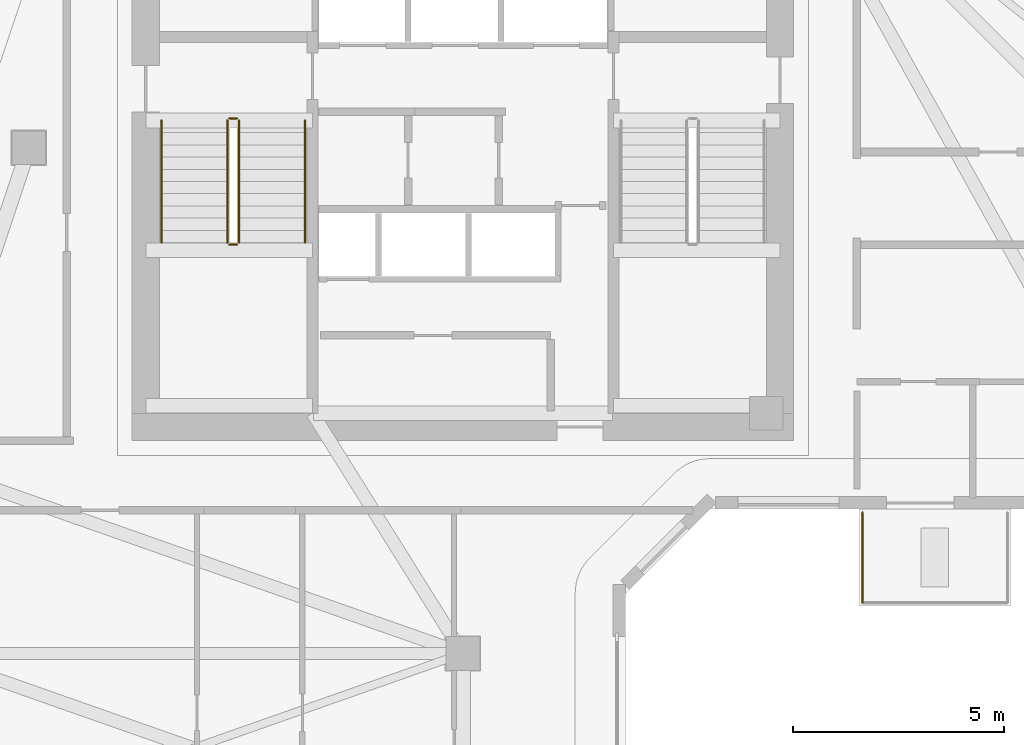
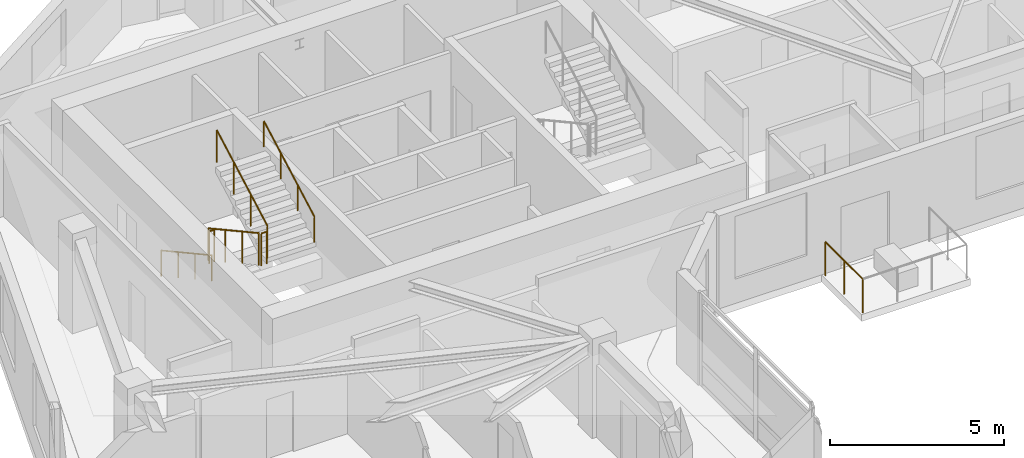
# One storey, part 9 of 11: 7 railings.
"""IFC4 building model written with IfcOpenShell, lengths in metres."""

from ifc_helpers import new_model, si_unit, direction, frame, origin, origin_2d, place, context, subcontext, project, spatial, circle, extrude, material, type_object, element, save


model = new_model("IFC4")

# Units and contexts
model_context = context("Model", 3, precision=1e-05, world=origin(), true_north=direction((0.0, 1.0)))
body_context = subcontext(model_context, "Body", "Model", "MODEL_VIEW")
ifc_project = project(units=[si_unit("LENGTHUNIT", "METRE"), si_unit("AREAUNIT", "SQUARE_METRE"), si_unit("VOLUMEUNIT", "CUBIC_METRE"), si_unit("PLANEANGLEUNIT", "RADIAN"), si_unit("MASSUNIT", "GRAM", prefix="KILO")], contexts=[model_context])

# Site, building, storey
site_placement = place(None, origin())
site = spatial("IfcSite", under=ifc_project, at=site_placement, CompositionType="ELEMENT")
building_placement = place(site_placement, origin())
building = spatial("IfcBuilding", under=site, at=building_placement, Name="Calvemar Wedge Station Tower", CompositionType="ELEMENT")
storey_placement = place(building_placement, frame((0.0, 0.0, 186.89990234375)))
storey = spatial("IfcBuildingStorey", under=building, at=storey_placement, Name="L46", CompositionType="ELEMENT", Elevation=186.89990234375)

# Railings
ifc_material_1 = material(Name="Stainless steel AISI 316L", Category="steel")
railing_type_1 = type_object("IfcRailingType", Name="GRD-TERR-1200", PredefinedType="GUARDRAIL", material=ifc_material_1)
railing_1_placement = place(storey_placement, frame((33.280029296875, 29.7041015625, 0.0)))
element("IfcRailing", 1, at=railing_1_placement, inside=storey, type_object=railing_type_1, Name="Storey L46 Spiral Terrace Guard 4", PredefinedType="GUARDRAIL", context=body_context, shape_type="SweptSolid", body=[
    extrude(circle(Radius=0.02392578125, at=origin_2d()), frame((0.0, 0.0, 1.17578125), z_axis=(0.0, 1.0, 0.0), x_axis=(-1.0, 0.0, 0.0)), (0.0, 0.0, 1.0), 2.139892578125),
    extrude(circle(Radius=0.02099609375, at=origin_2d()), origin(), (0.0, 0.0, 1.0), 1.15185546875),
    extrude(circle(Radius=0.02099609375, at=origin_2d()), frame((0.0, 1.06982421875, 0.0)), (0.0, 0.0, 1.0), 1.15185546875),
    extrude(circle(Radius=0.02099609375, at=origin_2d()), frame((0.0, 2.139892578125, 0.0)), (0.0, 0.0, 1.0), 1.15185546875),
])
railing_type_2 = type_object("IfcRailingType", Name="RL-HANDRAIL-920", PredefinedType="HANDRAIL", material=ifc_material_1)
railing_2_placement = place(storey_placement, frame((16.64990234375, 41.14990234375, 0.1591796875)))
element("IfcRailing", 2, at=railing_2_placement, inside=storey, type_object=railing_type_2, Name="L46 ST-C1 stair handrail 1", PredefinedType="HANDRAIL", context=body_context, shape_type="SweptSolid", body=[
    extrude(circle(Radius=0.02392578125, at=origin_2d()), frame((0.0, 0.0, 0.89599609375), z_axis=(0.0, -0.876742130028, 0.480960744171), x_axis=(1.0, 0.0, 0.0)), (0.0, 0.0, 1.0), 3.3076171875),
    extrude(circle(Radius=0.02099609375, at=origin_2d()), origin(), (0.0, 0.0, 1.0), 0.871826171875),
    extrude(circle(Radius=0.02099609375, at=origin_2d()), frame((0.0, -0.966552734375, 0.5302734375)), (0.0, 0.0, 1.0), 0.871826171875),
    extrude(circle(Radius=0.02099609375, at=origin_2d()), frame((0.0, -1.933349609375, 1.060546875)), (0.0, 0.0, 1.0), 0.871826171875),
    extrude(circle(Radius=0.02099609375, at=origin_2d()), frame((0.0, -2.89990234375, 1.5908203125)), (0.0, 0.0, 1.0), 0.871826171875),
])
railing_3_placement = place(storey_placement, frame((20.050048828125, 38.25, 1.9091796875)))
element("IfcRailing", 3, at=railing_3_placement, inside=storey, type_object=railing_type_2, Name="L46 ST-C1 stair handrail 2", PredefinedType="HANDRAIL", context=body_context, shape_type="SweptSolid", body=[
    extrude(circle(Radius=0.02392578125, at=origin_2d()), frame((0.0, 0.0, 0.89599609375), z_axis=(0.0, 0.876742130028, 0.480960744171), x_axis=(-1.0, 0.0, 0.0)), (0.0, 0.0, 1.0), 3.3076171875),
    extrude(circle(Radius=0.02099609375, at=origin_2d()), origin(), (0.0, 0.0, 1.0), 0.871826171875),
    extrude(circle(Radius=0.02099609375, at=origin_2d()), frame((0.0, 0.966552734375, 0.5302734375)), (0.0, 0.0, 1.0), 0.871826171875),
    extrude(circle(Radius=0.02099609375, at=origin_2d()), frame((0.0, 1.933349609375, 1.060546875)), (0.0, 0.0, 1.0), 0.871826171875),
    extrude(circle(Radius=0.02099609375, at=origin_2d()), frame((0.0, 2.89990234375, 1.5908203125)), (0.0, 0.0, 1.0), 0.871826171875),
])
ifc_material_2 = material(Name="Painted steel guardrail ASTM A500 Grade C", Category="steel")
railing_type_3 = type_object("IfcRailingType", Name="RL-STAIR-GUARD-1150", PredefinedType="GUARDRAIL", material=ifc_material_2)
railing_4_placement = place(storey_placement, frame((18.2099609375, 41.14990234375, 0.1591796875)))
element("IfcRailing", 4, at=railing_4_placement, inside=storey, type_object=railing_type_3, Name="L46 ST-C1 stair guard 1", PredefinedType="GUARDRAIL", context=body_context, shape_type="SweptSolid", body=[
    extrude(circle(Radius=0.02392578125, at=origin_2d()), frame((0.0, 0.0, 1.1259765625), z_axis=(0.0, -0.876742130028, 0.480960744171), x_axis=(1.0, 0.0, 0.0)), (0.0, 0.0, 1.0), 3.3076171875),
    extrude(circle(Radius=0.02099609375, at=origin_2d()), origin(), (0.0, 0.0, 1.0), 1.101806640625),
    extrude(circle(Radius=0.02099609375, at=origin_2d()), frame((0.0, -0.966552734375, 0.5302734375)), (0.0, 0.0, 1.0), 1.101806640625),
    extrude(circle(Radius=0.02099609375, at=origin_2d()), frame((0.0, -1.933349609375, 1.060546875)), (0.0, 0.0, 1.0), 1.101806640625),
    extrude(circle(Radius=0.02099609375, at=origin_2d()), frame((0.0, -2.89990234375, 1.5908203125)), (0.0, 0.0, 1.0), 1.101806640625),
])
railing_5_placement = place(storey_placement, frame((18.260009765625, 38.199951171875, 1.75)))
element("IfcRailing", 5, at=railing_5_placement, inside=storey, type_object=railing_type_3, Name="L46 ST-C1 stair guard 2", PredefinedType="GUARDRAIL", context=body_context, shape_type="SweptSolid", body=[
    extrude(circle(Radius=0.02392578125, at=origin_2d()), frame((0.0, 0.0, 1.1259765625), z_axis=(1.0, 0.0, 0.0), x_axis=(0.0, 1.0, 0.0)), (0.0, 0.0, 1.0), 0.179931640625),
    extrude(circle(Radius=0.02099609375, at=origin_2d()), origin(), (0.0, 0.0, 1.0), 1.101806640625),
    extrude(circle(Radius=0.02099609375, at=origin_2d()), frame((0.179931640625, 0.0, 0.0)), (0.0, 0.0, 1.0), 1.101806640625),
])
railing_6_placement = place(storey_placement, frame((18.489990234375, 38.25, 1.9091796875)))
element("IfcRailing", 6, at=railing_6_placement, inside=storey, type_object=railing_type_3, Name="L46 ST-C1 stair guard 3", PredefinedType="GUARDRAIL", context=body_context, shape_type="SweptSolid", body=[
    extrude(circle(Radius=0.02392578125, at=origin_2d()), frame((0.0, 0.0, 1.1259765625), z_axis=(0.0, 0.876742130028, 0.480960744171), x_axis=(-1.0, 0.0, 0.0)), (0.0, 0.0, 1.0), 3.3076171875),
    extrude(circle(Radius=0.02099609375, at=origin_2d()), origin(), (0.0, 0.0, 1.0), 1.101806640625),
    extrude(circle(Radius=0.02099609375, at=origin_2d()), frame((0.0, 0.966552734375, 0.5302734375)), (0.0, 0.0, 1.0), 1.101806640625),
    extrude(circle(Radius=0.02099609375, at=origin_2d()), frame((0.0, 1.933349609375, 1.060546875)), (0.0, 0.0, 1.0), 1.101806640625),
    extrude(circle(Radius=0.02099609375, at=origin_2d()), frame((0.0, 2.89990234375, 1.5908203125)), (0.0, 0.0, 1.0), 1.101806640625),
])
railing_7_placement = place(storey_placement, frame((18.260009765625, 41.199951171875, 0.0)))
element("IfcRailing", 7, at=railing_7_placement, inside=storey, type_object=railing_type_3, Name="L46 ST-C1 stair guard 4", PredefinedType="GUARDRAIL", context=body_context, shape_type="SweptSolid", body=[
    extrude(circle(Radius=0.02392578125, at=origin_2d()), frame((0.0, 0.0, 1.1259765625), z_axis=(1.0, 0.0, 0.0), x_axis=(0.0, 1.0, 0.0)), (0.0, 0.0, 1.0), 0.179931640625),
    extrude(circle(Radius=0.02099609375, at=origin_2d()), origin(), (0.0, 0.0, 1.0), 1.101806640625),
    extrude(circle(Radius=0.02099609375, at=origin_2d()), frame((0.179931640625, 0.0, 0.0)), (0.0, 0.0, 1.0), 1.101806640625),
])

save(model, "model.ifc")
